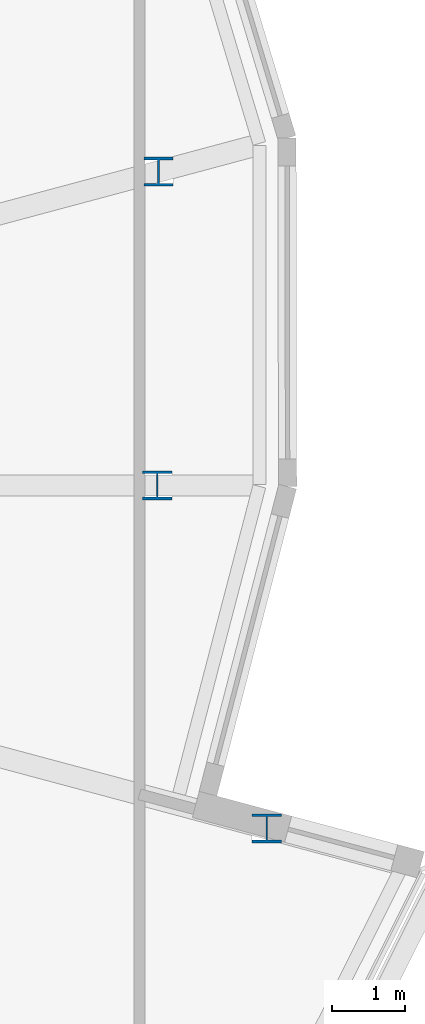
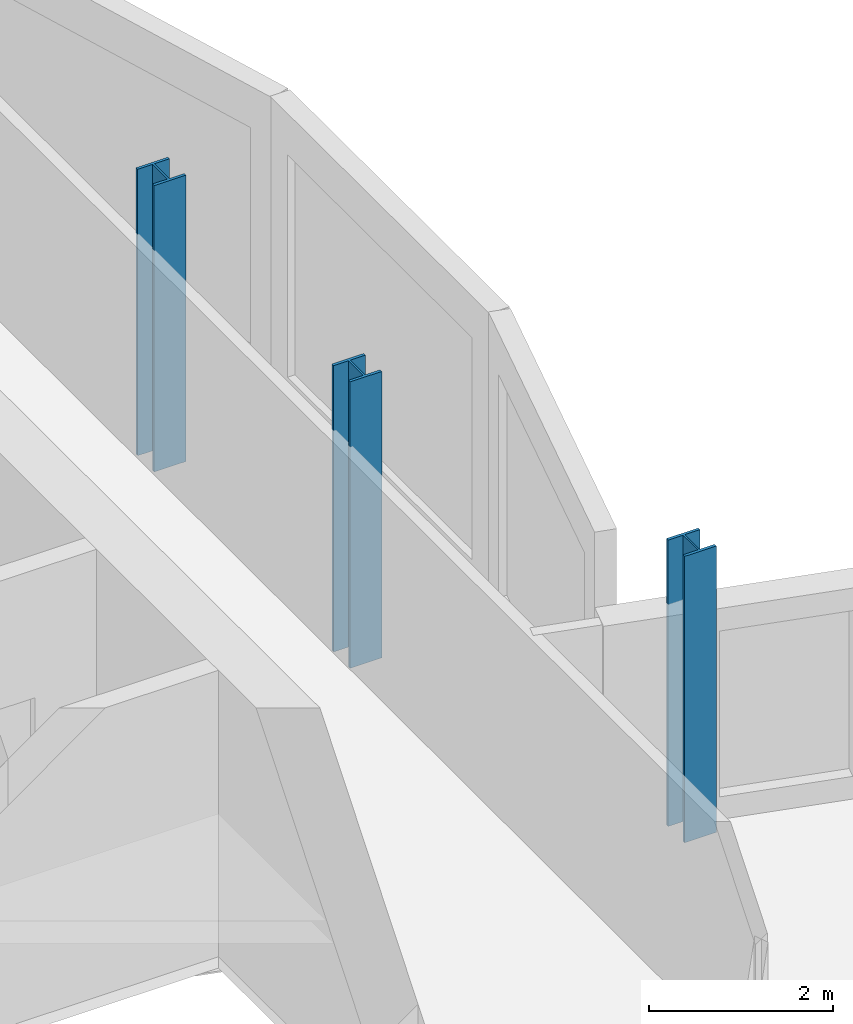
# One storey, part 2 of 36: 3 columns.
"""IFC4 building model written with IfcOpenShell, lengths in metres."""

from ifc_helpers import new_model, si_unit, direction, frame, origin, origin_2d, place, context, subcontext, project, spatial, i_section, extrude, material, material_profile, profile_set, type_object, element, save


model = new_model("IFC4")

# Units and contexts
model_context = context("Model", 3, precision=1e-05, world=origin(), true_north=direction((0.0, 1.0)))
body_context = subcontext(model_context, "Body", "Model", "MODEL_VIEW")
ifc_project = project(units=[si_unit("LENGTHUNIT", "METRE"), si_unit("AREAUNIT", "SQUARE_METRE"), si_unit("VOLUMEUNIT", "CUBIC_METRE"), si_unit("PLANEANGLEUNIT", "RADIAN"), si_unit("MASSUNIT", "GRAM", prefix="KILO")], contexts=[model_context])

# Site, building, storey
site_placement = place(None, origin())
site = spatial("IfcSite", under=ifc_project, at=site_placement, CompositionType="ELEMENT")
building_placement = place(site_placement, origin())
building = spatial("IfcBuilding", under=site, at=building_placement, Name="Rimbun Link Towers", CompositionType="ELEMENT")
storey_placement = place(building_placement, frame((0.0, 0.0, 174.10009765625)))
storey = spatial("IfcBuildingStorey", under=building, at=storey_placement, Name="L42", CompositionType="ELEMENT", Elevation=174.10009765625)

# Columns
ifc_material = material(Name="Steel S355J2", Category="steel")
ifc_material_profile = material_profile(ifc_material, i_section(OverallWidth=0.39892578125, OverallDepth=0.3935546875, WebThickness=0.022705078125, FlangeThickness=0.03662109375, at=origin_2d()), Name="UC 356x406x287")
ifc_profile_set = profile_set([ifc_material_profile], Name="Steel S355J2")
column_type = type_object("IfcColumnType", Name="UC 356x406x287", PredefinedType="COLUMN", material=ifc_profile_set)
for number, where, z_axis, x_axis, name in (
    (1, (49.223876953125, -4.68212890625, -0.150146484375), (0.0, 0.0, 1.0), (1.0, 0.0, 0.0), "Crease post T2 L42 20"),
    (2, (47.727783203125, 0.0, -0.150146484375), (0.0, 0.0, 1.0), (1.0, 0.0, 0.0), "Crease post T2 L42 21"),
    (3, (47.744384765625, 4.28564453125, -0.150146484375), (0.0, 0.0, 1.0), (1.0, 0.0, 0.0), "Crease post T2 L42 22"),
):
    element("IfcColumn", number, at=place(storey_placement, frame(where, z_axis=z_axis, x_axis=x_axis)), inside=storey, type_object=column_type, Name=name, PredefinedType="COLUMN", context=body_context, shape_type="SweptSolid", body=[
        extrude(i_section(OverallWidth=0.39892578125, OverallDepth=0.3935546875, WebThickness=0.022705078125, FlangeThickness=0.03662109375, at=origin_2d()), origin(), (0.0, 0.0, 1.0), 3.800048828125),
    ])

save(model, "model.ifc")
